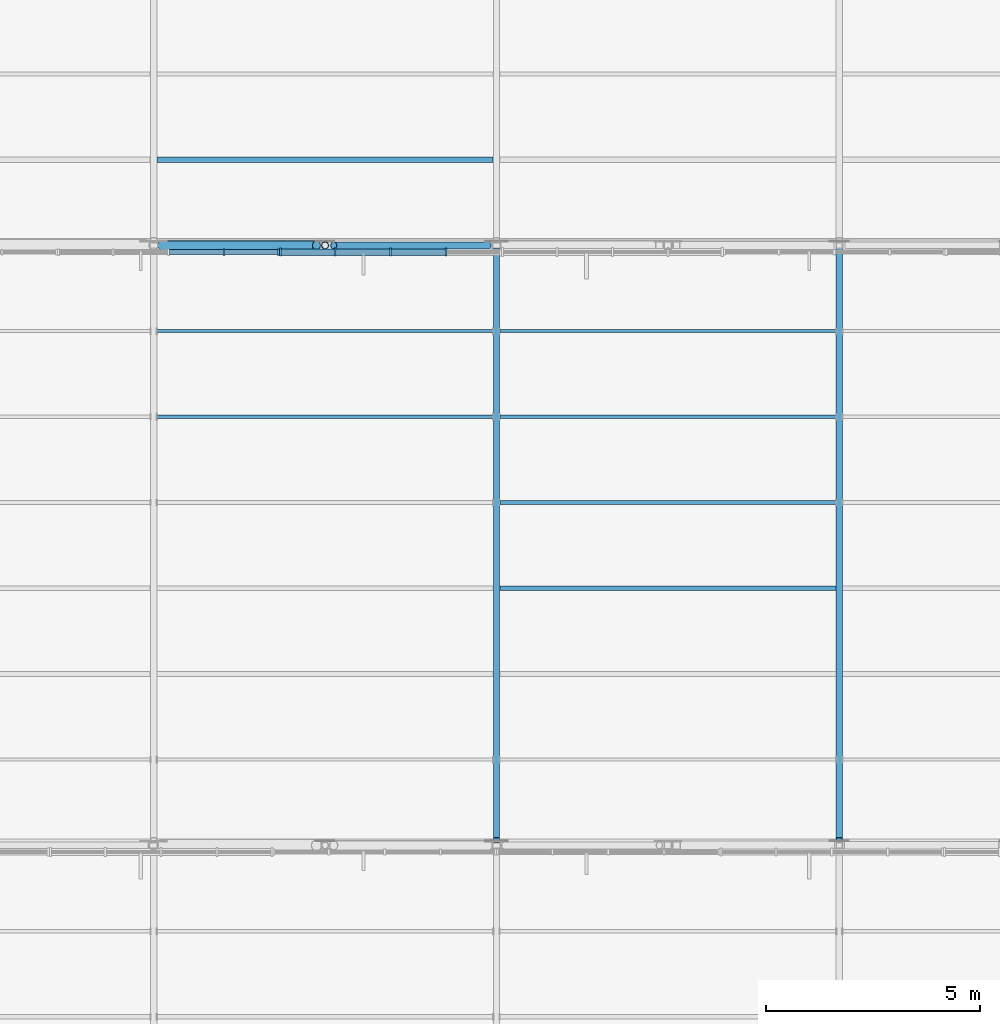
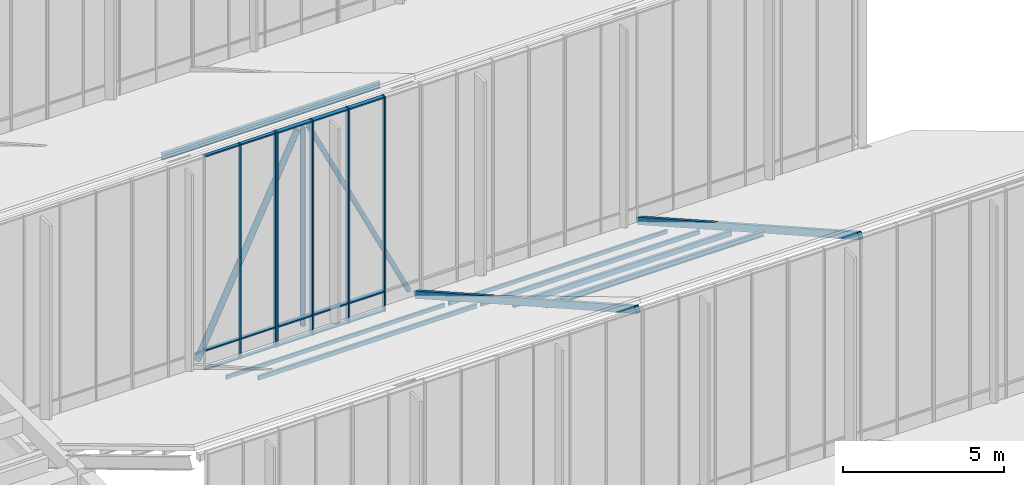
# One storey, part 45 of 155: 33 members, 2 elements without a shape of their own.
"""IFC4 building model written with IfcOpenShell, lengths in metres."""

from ifc_helpers import new_model, si_unit, direction, frame, origin, origin_2d, place, context, subcontext, project, spatial, rectangle, hollow_rectangle, hollow_circle, i_section, extrude, material, material_profile, profile_set, type_object, element, aggregate, save


model = new_model("IFC4")

# Units and contexts
model_context = context("Model", 3, precision=1e-05, world=origin(), true_north=direction((0.0, 1.0)))
body_context = subcontext(model_context, "Body", "Model", "MODEL_VIEW")
ifc_project = project(units=[si_unit("LENGTHUNIT", "METRE"), si_unit("AREAUNIT", "SQUARE_METRE"), si_unit("VOLUMEUNIT", "CUBIC_METRE"), si_unit("PLANEANGLEUNIT", "RADIAN"), si_unit("MASSUNIT", "GRAM", prefix="KILO")], contexts=[model_context])

# Site, building, storey
site_placement = place(None, origin())
site = spatial("IfcSite", under=ifc_project, at=site_placement, CompositionType="ELEMENT")
building_placement = place(site_placement, origin())
building = spatial("IfcBuilding", under=site, at=building_placement, Name="Larkveld Mobility Hub", CompositionType="ELEMENT")
storey_placement = place(building_placement, frame((0.0, 0.0, 8.39990234375)))
storey = spatial("IfcBuildingStorey", under=building, at=storey_placement, Name="L02", CompositionType="ELEMENT", Elevation=8.39990234375)

# Curtain wall, members
ifc_material_1 = material(Name="Anodised aluminium 6063-T6", Category="aluminium")
curtain_wall_type_1 = type_object("IfcCurtainWallType", Name="CW-SYS-09", PredefinedType="NOTDEFINED", material=ifc_material_1)
curtain_wall_1_placement = place(storey_placement, origin())
curtain_wall_1 = element("IfcCurtainWall", 1, at=curtain_wall_1_placement, inside=storey, type_object=curtain_wall_type_1, Name="Sawtooth South-Light Clerestory B3 CW-021", PredefinedType="NOTDEFINED")
ifc_material_profile_1 = material_profile(ifc_material_1, rectangle(XDim=0.050048828125, YDim=0.14990234375, at=origin_2d()), Name="ALU MULL 50x150")
ifc_profile_set_1 = profile_set([ifc_material_profile_1], Name="Anodised aluminium 6063-T6")
member_type_1 = type_object("IfcMemberType", Name="CW-MUL-01", PredefinedType="MULLION", material=ifc_profile_set_1)
member_1_placement = place(storey_placement, frame((161.64208984375, 55.844970703125, -0.001953125), z_axis=(0.0, 0.0, 1.0), x_axis=(1.0, 0.0, 0.0)))
member_1 = element("IfcMember", 2, at=member_1_placement, type_object=member_type_1, Name="CW09 mullion 4", PredefinedType="MULLION", context=body_context, shape_type="SweptSolid", body=[
    extrude(rectangle(XDim=0.050048828125, YDim=0.14990234375, at=origin_2d()), origin(), (0.0, 0.0, 1.0), 8.152099609375),
])
member_2_placement = place(storey_placement, frame((162.910888671875, 55.844970703125, -0.001953125), z_axis=(0.0, 0.0, 1.0), x_axis=(1.0, 0.0, 0.0)))
member_2 = element("IfcMember", 3, at=member_2_placement, type_object=member_type_1, Name="CW09 mullion 5", PredefinedType="MULLION", context=body_context, shape_type="SweptSolid", body=[
    extrude(rectangle(XDim=0.050048828125, YDim=0.14990234375, at=origin_2d()), origin(), (0.0, 0.0, 1.0), 8.152099609375),
])

curtain_wall_type_2 = type_object("IfcCurtainWallType", Name="CW-SYS-10", PredefinedType="NOTDEFINED", material=ifc_material_1)
curtain_wall_2_placement = place(storey_placement, origin())
curtain_wall_2 = element("IfcCurtainWall", 4, at=curtain_wall_2_placement, inside=storey, type_object=curtain_wall_type_2, Name="Sawtooth South-Light Clerestory B3 CW-022", PredefinedType="NOTDEFINED")
ifc_material_profile_2 = material_profile(ifc_material_1, rectangle(XDim=0.050048828125, YDim=0.179931640625, at=origin_2d()), Name="ALU MULL 50x180")
ifc_profile_set_2 = profile_set([ifc_material_profile_2], Name="Anodised aluminium 6063-T6")
member_type_2 = type_object("IfcMemberType", Name="CW-MUL-02", PredefinedType="MULLION", material=ifc_profile_set_2)
member_3_placement = place(storey_placement, frame((162.9619140625, 55.844970703125, -0.001953125), z_axis=(0.0, 0.0, 1.0), x_axis=(1.0, 0.0, 0.0)))
member_3 = element("IfcMember", 5, at=member_3_placement, type_object=member_type_2, Name="CW10 mullion 1", PredefinedType="MULLION", context=body_context, shape_type="SweptSolid", body=[
    extrude(rectangle(XDim=0.050048828125, YDim=0.179931640625, at=origin_2d()), origin(), (0.0, 0.0, 1.0), 8.152099609375),
])
member_4_placement = place(storey_placement, frame((164.23193359375, 55.844970703125, -0.001953125), z_axis=(0.0, 0.0, 1.0), x_axis=(1.0, 0.0, 0.0)))
member_4 = element("IfcMember", 6, at=member_4_placement, type_object=member_type_2, Name="CW10 mullion 2", PredefinedType="MULLION", context=body_context, shape_type="SweptSolid", body=[
    extrude(rectangle(XDim=0.050048828125, YDim=0.179931640625, at=origin_2d()), origin(), (0.0, 0.0, 1.0), 8.152099609375),
])
member_5_placement = place(storey_placement, frame((165.52587890625, 55.844970703125, -0.001953125), z_axis=(0.0, 0.0, 1.0), x_axis=(1.0, 0.0, 0.0)))
member_5 = element("IfcMember", 7, at=member_5_placement, type_object=member_type_2, Name="CW10 mullion 3", PredefinedType="MULLION", context=body_context, shape_type="SweptSolid", body=[
    extrude(rectangle(XDim=0.050048828125, YDim=0.179931640625, at=origin_2d()), origin(), (0.0, 0.0, 1.0), 8.152099609375),
])
member_6_placement = place(storey_placement, frame((166.821044921875, 55.844970703125, -0.001953125), z_axis=(0.0, 0.0, 1.0), x_axis=(1.0, 0.0, 0.0)))
member_6 = element("IfcMember", 8, at=member_6_placement, type_object=member_type_2, Name="CW10 mullion 4", PredefinedType="MULLION", context=body_context, shape_type="SweptSolid", body=[
    extrude(rectangle(XDim=0.050048828125, YDim=0.179931640625, at=origin_2d()), origin(), (0.0, 0.0, 1.0), 8.152099609375),
])

# Member
ifc_material_profile_3 = material_profile(ifc_material_1, rectangle(XDim=0.1201171875, YDim=0.050048828125, at=origin_2d()), Name="ALU TRAN 50x120")
ifc_profile_set_3 = profile_set([ifc_material_profile_3], Name="Anodised aluminium 6063-T6")
member_type_3 = type_object("IfcMemberType", Name="CW-TRN-01", PredefinedType="USERDEFINED", material=ifc_profile_set_3)
member_7_placement = place(storey_placement, frame((160.362060546875, 55.844970703125, 0.030029296875), z_axis=(1.0, 0.0, 0.0), x_axis=(0.0, 1.0, 0.0)))
member_7 = element("IfcMember", 9, at=member_7_placement, type_object=member_type_3, Name="CW09 transom 3.1", ObjectType="TRANSOM", PredefinedType="USERDEFINED", context=body_context, shape_type="SweptSolid", body=[
    extrude(rectangle(XDim=0.1201171875, YDim=0.050048828125, at=origin_2d()), origin(), (0.0, 0.0, 1.0), 1.264892578125),
])

member_8_placement = place(storey_placement, frame((160.362060546875, 55.844970703125, 0.75), z_axis=(1.0, 0.0, 0.0), x_axis=(0.0, 1.0, 0.0)))
member_8 = element("IfcMember", 10, at=member_8_placement, type_object=member_type_3, Name="CW09 transom 3.2", ObjectType="TRANSOM", PredefinedType="USERDEFINED", context=body_context, shape_type="SweptSolid", body=[
    extrude(rectangle(XDim=0.1201171875, YDim=0.050048828125, at=origin_2d()), origin(), (0.0, 0.0, 1.0), 1.264892578125),
])

member_9_placement = place(storey_placement, frame((160.362060546875, 55.844970703125, 8.1181640625), z_axis=(1.0, 0.0, 0.0), x_axis=(0.0, 1.0, 0.0)))
member_9 = element("IfcMember", 11, at=member_9_placement, type_object=member_type_3, Name="CW09 transom 3.3", ObjectType="TRANSOM", PredefinedType="USERDEFINED", context=body_context, shape_type="SweptSolid", body=[
    extrude(rectangle(XDim=0.1201171875, YDim=0.050048828125, at=origin_2d()), origin(), (0.0, 0.0, 1.0), 1.264892578125),
])

member_10_placement = place(storey_placement, frame((161.656982421875, 55.844970703125, 0.030029296875), z_axis=(1.0, 0.0, 0.0), x_axis=(0.0, 1.0, 0.0)))
member_10 = element("IfcMember", 12, at=member_10_placement, type_object=member_type_3, Name="CW09 transom 4.1", ObjectType="TRANSOM", PredefinedType="USERDEFINED", context=body_context, shape_type="SweptSolid", body=[
    extrude(rectangle(XDim=0.1201171875, YDim=0.050048828125, at=origin_2d()), origin(), (0.0, 0.0, 1.0), 1.243896484375),
])

member_11_placement = place(storey_placement, frame((161.656982421875, 55.844970703125, 0.75), z_axis=(1.0, 0.0, 0.0), x_axis=(0.0, 1.0, 0.0)))
member_11 = element("IfcMember", 13, at=member_11_placement, type_object=member_type_3, Name="CW09 transom 4.2", ObjectType="TRANSOM", PredefinedType="USERDEFINED", context=body_context, shape_type="SweptSolid", body=[
    extrude(rectangle(XDim=0.1201171875, YDim=0.050048828125, at=origin_2d()), origin(), (0.0, 0.0, 1.0), 1.243896484375),
])

member_12_placement = place(storey_placement, frame((161.656982421875, 55.844970703125, 8.1181640625), z_axis=(1.0, 0.0, 0.0), x_axis=(0.0, 1.0, 0.0)))
member_12 = element("IfcMember", 14, at=member_12_placement, type_object=member_type_3, Name="CW09 transom 4.3", ObjectType="TRANSOM", PredefinedType="USERDEFINED", context=body_context, shape_type="SweptSolid", body=[
    extrude(rectangle(XDim=0.1201171875, YDim=0.050048828125, at=origin_2d()), origin(), (0.0, 0.0, 1.0), 1.243896484375),
])

aggregate(curtain_wall_1, [member_1, member_2, member_7, member_8, member_9, member_10, member_11, member_12])

ifc_material_profile_4 = material_profile(ifc_material_1, rectangle(XDim=0.14990234375, YDim=0.050048828125, at=origin_2d()), Name="ALU TRAN 50x150")
ifc_profile_set_4 = profile_set([ifc_material_profile_4], Name="Anodised aluminium 6063-T6")
member_type_4 = type_object("IfcMemberType", Name="CW-TRN-02", PredefinedType="USERDEFINED", material=ifc_profile_set_4)
member_13_placement = place(storey_placement, frame((162.971923828125, 55.844970703125, 0.030029296875), z_axis=(1.0, 0.0, 0.0), x_axis=(0.0, 1.0, 0.0)))
member_13 = element("IfcMember", 15, at=member_13_placement, type_object=member_type_4, Name="CW10 transom 1.1", ObjectType="TRANSOM", PredefinedType="USERDEFINED", context=body_context, shape_type="SweptSolid", body=[
    extrude(rectangle(XDim=0.14990234375, YDim=0.050048828125, at=origin_2d()), origin(), (0.0, 0.0, 1.0), 1.2451171875),
])

member_14_placement = place(storey_placement, frame((162.971923828125, 55.844970703125, 0.75), z_axis=(1.0, 0.0, 0.0), x_axis=(0.0, 1.0, 0.0)))
member_14 = element("IfcMember", 16, at=member_14_placement, type_object=member_type_4, Name="CW10 transom 1.2", ObjectType="TRANSOM", PredefinedType="USERDEFINED", context=body_context, shape_type="SweptSolid", body=[
    extrude(rectangle(XDim=0.14990234375, YDim=0.050048828125, at=origin_2d()), origin(), (0.0, 0.0, 1.0), 1.2451171875),
])

member_15_placement = place(storey_placement, frame((162.971923828125, 55.844970703125, 8.1181640625), z_axis=(1.0, 0.0, 0.0), x_axis=(0.0, 1.0, 0.0)))
member_15 = element("IfcMember", 17, at=member_15_placement, type_object=member_type_4, Name="CW10 transom 1.3", ObjectType="TRANSOM", PredefinedType="USERDEFINED", context=body_context, shape_type="SweptSolid", body=[
    extrude(rectangle(XDim=0.14990234375, YDim=0.050048828125, at=origin_2d()), origin(), (0.0, 0.0, 1.0), 1.2451171875),
])

member_16_placement = place(storey_placement, frame((164.2470703125, 55.844970703125, 0.030029296875), z_axis=(1.0, 0.0, 0.0), x_axis=(0.0, 1.0, 0.0)))
member_16 = element("IfcMember", 18, at=member_16_placement, type_object=member_type_4, Name="CW10 transom 2.1", ObjectType="TRANSOM", PredefinedType="USERDEFINED", context=body_context, shape_type="SweptSolid", body=[
    extrude(rectangle(XDim=0.14990234375, YDim=0.050048828125, at=origin_2d()), origin(), (0.0, 0.0, 1.0), 1.263916015625),
])

member_17_placement = place(storey_placement, frame((164.2470703125, 55.844970703125, 0.75), z_axis=(1.0, 0.0, 0.0), x_axis=(0.0, 1.0, 0.0)))
member_17 = element("IfcMember", 19, at=member_17_placement, type_object=member_type_4, Name="CW10 transom 2.2", ObjectType="TRANSOM", PredefinedType="USERDEFINED", context=body_context, shape_type="SweptSolid", body=[
    extrude(rectangle(XDim=0.14990234375, YDim=0.050048828125, at=origin_2d()), origin(), (0.0, 0.0, 1.0), 1.263916015625),
])

member_18_placement = place(storey_placement, frame((164.2470703125, 55.844970703125, 8.1181640625), z_axis=(1.0, 0.0, 0.0), x_axis=(0.0, 1.0, 0.0)))
member_18 = element("IfcMember", 20, at=member_18_placement, type_object=member_type_4, Name="CW10 transom 2.3", ObjectType="TRANSOM", PredefinedType="USERDEFINED", context=body_context, shape_type="SweptSolid", body=[
    extrude(rectangle(XDim=0.14990234375, YDim=0.050048828125, at=origin_2d()), origin(), (0.0, 0.0, 1.0), 1.263916015625),
])

member_19_placement = place(storey_placement, frame((165.541015625, 55.844970703125, 0.030029296875), z_axis=(1.0, 0.0, 0.0), x_axis=(0.0, 1.0, 0.0)))
member_19 = element("IfcMember", 21, at=member_19_placement, type_object=member_type_4, Name="CW10 transom 3.1", ObjectType="TRANSOM", PredefinedType="USERDEFINED", context=body_context, shape_type="SweptSolid", body=[
    extrude(rectangle(XDim=0.14990234375, YDim=0.050048828125, at=origin_2d()), origin(), (0.0, 0.0, 1.0), 1.264892578125),
])

member_20_placement = place(storey_placement, frame((165.541015625, 55.844970703125, 0.75), z_axis=(1.0, 0.0, 0.0), x_axis=(0.0, 1.0, 0.0)))
member_20 = element("IfcMember", 22, at=member_20_placement, type_object=member_type_4, Name="CW10 transom 3.2", ObjectType="TRANSOM", PredefinedType="USERDEFINED", context=body_context, shape_type="SweptSolid", body=[
    extrude(rectangle(XDim=0.14990234375, YDim=0.050048828125, at=origin_2d()), origin(), (0.0, 0.0, 1.0), 1.264892578125),
])

member_21_placement = place(storey_placement, frame((165.541015625, 55.844970703125, 8.1181640625), z_axis=(1.0, 0.0, 0.0), x_axis=(0.0, 1.0, 0.0)))
member_21 = element("IfcMember", 23, at=member_21_placement, type_object=member_type_4, Name="CW10 transom 3.3", ObjectType="TRANSOM", PredefinedType="USERDEFINED", context=body_context, shape_type="SweptSolid", body=[
    extrude(rectangle(XDim=0.14990234375, YDim=0.050048828125, at=origin_2d()), origin(), (0.0, 0.0, 1.0), 1.264892578125),
])

aggregate(curtain_wall_2, [member_3, member_4, member_5, member_6, member_13, member_14, member_15, member_16, member_17, member_18, member_19, member_20, member_21])

# Members
ifc_material_2 = material(Name="Steel S355JR", Category="steel")
ifc_material_profile_5 = material_profile(ifc_material_2, hollow_circle(Radius=0.084228515625, WallThickness=0.008056640625, at=origin_2d()), Name="CHS 168.3x8")
ifc_profile_set_5 = profile_set([ifc_material_profile_5], Name="Steel S355JR")
member_type_5 = type_object("IfcMemberType", Name="MB-BR-CHS168", PredefinedType="BRACE", material=ifc_profile_set_5)
member_22_placement = place(storey_placement, frame((164.199951171875, 56.0, 7.8251953125), z_axis=(0.432694817509, 0.0, -0.901540456608), x_axis=(0.0, 1.0, 0.0)))
element("IfcMember", 24, at=member_22_placement, inside=storey, type_object=member_type_5, Name="ROOF TRUSS T3 Web Diagonal 4", PredefinedType="BRACE", context=body_context, shape_type="SweptSolid", body=[
    extrude(hollow_circle(Radius=0.084228515625, WallThickness=0.008056640625, at=origin_2d()), origin(), (0.0, 0.0, 1.0), 8.320068359375),
])
member_23_placement = place(storey_placement, frame((164.0, 56.0, 0.32421875), z_axis=(0.0, 0.0, 1.0), x_axis=(1.0, 0.0, 0.0)))
element("IfcMember", 25, at=member_23_placement, inside=storey, type_object=member_type_5, Name="ROOF TRUSS T3 Vertical Post 3", PredefinedType="BRACE", context=body_context, shape_type="SweptSolid", body=[
    extrude(hollow_circle(Radius=0.084228515625, WallThickness=0.008056640625, at=origin_2d()), origin(), (0.0, 0.0, 1.0), 7.5009765625),
])
ifc_material_profile_6 = material_profile(ifc_material_2, hollow_circle(Radius=0.109619140625, WallThickness=0.010009765625, at=origin_2d()), Name="CHS 219.1x10")
ifc_profile_set_6 = profile_set([ifc_material_profile_6], Name="Steel S355JR")
member_type_6 = type_object("IfcMemberType", Name="MB-BR-CHS219", PredefinedType="BRACE", material=ifc_profile_set_6)
member_24_placement = place(storey_placement, frame((160.199951171875, 56.0, 0.32421875), z_axis=(0.432694817509, 0.0, 0.901540456608), x_axis=(0.0, 1.0, 0.0)))
element("IfcMember", 26, at=member_24_placement, inside=storey, type_object=member_type_6, Name="ROOF TRUSS T3 Web Diagonal 3", PredefinedType="BRACE", context=body_context, shape_type="SweptSolid", body=[
    extrude(hollow_circle(Radius=0.109619140625, WallThickness=0.010009765625, at=origin_2d()), origin(), (0.0, 0.0, 1.0), 8.320068359375),
])
ifc_material_profile_7 = material_profile(ifc_material_2, hollow_rectangle(XDim=0.14990234375, YDim=0.25, WallThickness=0.010009765625, at=origin_2d()), Name="RHS 250x150x10")
ifc_profile_set_7 = profile_set([ifc_material_profile_7], Name="Steel S355JR")
member_type_7 = type_object("IfcMemberType", Name="MB-CH-RHS250", PredefinedType="CHORD", material=ifc_profile_set_7)
for number, where, z_axis, x_axis, name in (
    (27, (168.0, 42.1201171875, 7.9501953125), (0.0, 0.870759014799, -0.491710014283), (-1.0, 0.0, 0.0), "ROOF TRUSS Sloped Rafter Chord B2-168"),
    (28, (176.0, 42.1201171875, 7.9501953125), (0.0, 0.870759014799, -0.491710014283), (-1.0, 0.0, 0.0), "ROOF TRUSS Sloped Rafter Chord B2-176"),
):
    element("IfcMember", number, at=place(storey_placement, frame(where, z_axis=z_axis, x_axis=x_axis)), inside=storey, type_object=member_type_7, Name=name, PredefinedType="CHORD", context=body_context, shape_type="SweptSolid", body=[
        extrude(hollow_rectangle(XDim=0.14990234375, YDim=0.25, WallThickness=0.010009765625, at=origin_2d()), origin(), (0.0, 0.0, 1.0), 15.802001953125),
    ])
ifc_material_profile_8 = material_profile(ifc_material_2, i_section(OverallWidth=0.10009765625, OverallDepth=0.199951171875, WebThickness=0.005615234375, FlangeThickness=0.008544921875, FilletRadius=0.011962890625, at=origin_2d()), Name="IPE 200")
ifc_profile_set_8 = profile_set([ifc_material_profile_8], Name="Steel S355JR")
member_type_8 = type_object("IfcMemberType", Name="MB-PR-IPE200", PredefinedType="PURLIN", material=ifc_profile_set_8)
member_25_placement = place(storey_placement, frame((168.080078125, 48.0, 4.507080078125), z_axis=(1.0, 0.0, 0.0), x_axis=(0.0, 1.0, 0.0)))
element("IfcMember", 29, at=member_25_placement, inside=storey, type_object=member_type_8, Name="Sawtooth Roof Purlin B2-3.3", PredefinedType="PURLIN", context=body_context, shape_type="SweptSolid", body=[
    extrude(i_section(OverallWidth=0.10009765625, OverallDepth=0.199951171875, WebThickness=0.005615234375, FlangeThickness=0.008544921875, FilletRadius=0.011962890625, at=origin_2d()), origin(), (0.0, 0.0, 1.0), 7.83984375),
])
ifc_material_profile_9 = material_profile(ifc_material_2, i_section(OverallWidth=0.1201171875, OverallDepth=0.239990234375, WebThickness=0.006103515625, FlangeThickness=0.009765625, FilletRadius=0.014892578125, at=origin_2d()), Name="IPE 240")
ifc_profile_set_9 = profile_set([ifc_material_profile_9], Name="Steel S355JR")
member_type_9 = type_object("IfcMemberType", Name="MB-PR-IPE240", PredefinedType="PURLIN", material=ifc_profile_set_9)
member_26_placement = place(storey_placement, frame((160.080078125, 58.0, 6.88720703125), z_axis=(1.0, 0.0, 0.0), x_axis=(0.0, 1.0, 0.0)))
element("IfcMember", 30, at=member_26_placement, inside=storey, type_object=member_type_9, Name="Sawtooth Roof Purlin B3-1.2", PredefinedType="PURLIN", context=body_context, shape_type="SweptSolid", body=[
    extrude(i_section(OverallWidth=0.1201171875, OverallDepth=0.239990234375, WebThickness=0.006103515625, FlangeThickness=0.009765625, FilletRadius=0.014892578125, at=origin_2d()), origin(), (0.0, 0.0, 1.0), 7.83984375),
])
ifc_material_profile_10 = material_profile(ifc_material_2, hollow_rectangle(XDim=0.070068359375, YDim=0.139892578125, WallThickness=0.00634765625, at=origin_2d()), Name="RHS 140x70x6.3")
ifc_profile_set_10 = profile_set([ifc_material_profile_10], Name="Steel S355JR")
member_type_10 = type_object("IfcMemberType", Name="MB-PR-RHS140", PredefinedType="PURLIN", material=ifc_profile_set_10)
for number, where, z_axis, x_axis, name in (
    (31, (160.080078125, 54.0, 0.93701171875), (1.0, 0.0, 0.0), (0.0, 1.0, 0.0), "Sawtooth Roof Purlin B2-6.2"),
    (32, (168.080078125, 54.0, 0.93701171875), (1.0, 0.0, 0.0), (0.0, 1.0, 0.0), "Sawtooth Roof Purlin B2-6.3"),
):
    element("IfcMember", number, at=place(storey_placement, frame(where, z_axis=z_axis, x_axis=x_axis)), inside=storey, type_object=member_type_10, Name=name, PredefinedType="PURLIN", context=body_context, shape_type="SweptSolid", body=[
        extrude(hollow_rectangle(XDim=0.070068359375, YDim=0.139892578125, WallThickness=0.00634765625, at=origin_2d()), origin(), (0.0, 0.0, 1.0), 7.83984375),
    ])
ifc_material_profile_11 = material_profile(ifc_material_2, hollow_rectangle(XDim=0.080078125, YDim=0.159912109375, WallThickness=0.008056640625, at=origin_2d()), Name="RHS 160x80x8")
ifc_profile_set_11 = profile_set([ifc_material_profile_11], Name="Steel S355JR")
member_type_11 = type_object("IfcMemberType", Name="MB-PR-RHS160", PredefinedType="PURLIN", material=ifc_profile_set_11)
for number, where, z_axis, x_axis, name in (
    (33, (160.080078125, 52.0, 2.127197265625), (1.0, 0.0, 0.0), (0.0, 1.0, 0.0), "Sawtooth Roof Purlin B2-5.2"),
    (34, (168.080078125, 52.0, 2.127197265625), (1.0, 0.0, 0.0), (0.0, 1.0, 0.0), "Sawtooth Roof Purlin B2-5.3"),
):
    element("IfcMember", number, at=place(storey_placement, frame(where, z_axis=z_axis, x_axis=x_axis)), inside=storey, type_object=member_type_11, Name=name, PredefinedType="PURLIN", context=body_context, shape_type="SweptSolid", body=[
        extrude(hollow_rectangle(XDim=0.080078125, YDim=0.159912109375, WallThickness=0.008056640625, at=origin_2d()), origin(), (0.0, 0.0, 1.0), 7.83984375),
    ])
ifc_material_profile_12 = material_profile(ifc_material_2, hollow_rectangle(XDim=0.10009765625, YDim=0.199951171875, WallThickness=0.008056640625, at=origin_2d()), Name="RHS 200x100x8")
ifc_profile_set_12 = profile_set([ifc_material_profile_12], Name="Steel S355JR")
member_type_12 = type_object("IfcMemberType", Name="MB-PR-RHS200", PredefinedType="PURLIN", material=ifc_profile_set_12)
member_27_placement = place(storey_placement, frame((168.080078125, 50.0, 3.30712890625), z_axis=(1.0, 0.0, 0.0), x_axis=(0.0, 1.0, 0.0)))
element("IfcMember", 35, at=member_27_placement, inside=storey, type_object=member_type_12, Name="Sawtooth Roof Purlin B2-4.3", PredefinedType="PURLIN", context=body_context, shape_type="SweptSolid", body=[
    extrude(hollow_rectangle(XDim=0.10009765625, YDim=0.199951171875, WallThickness=0.008056640625, at=origin_2d()), origin(), (0.0, 0.0, 1.0), 7.83984375),
])

save(model, "model.ifc")
